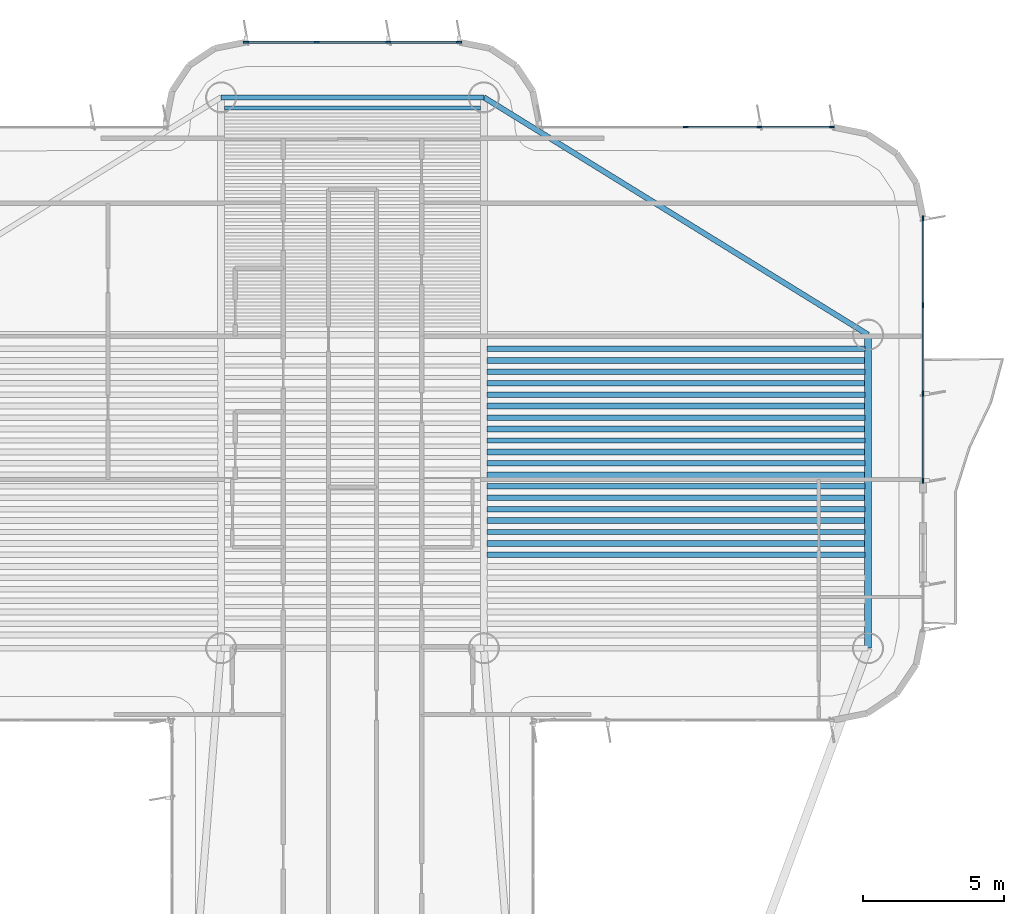
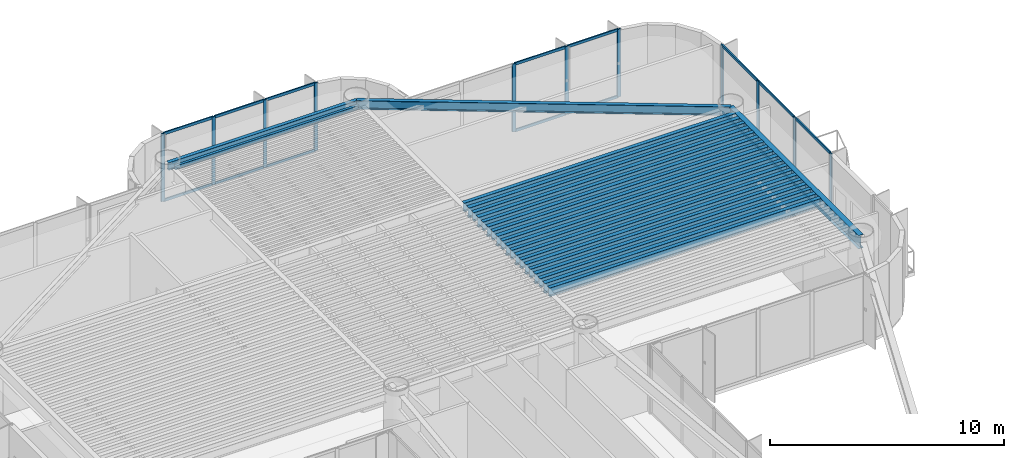
# One storey, part 7 of 14: 27 members, 23 beams, 3 elements without a shape of their own.
"""IFC4 building model written with IfcOpenShell, lengths in metres."""

from ifc_helpers import new_model, si_unit, direction, frame, origin, origin_2d, place, context, subcontext, project, spatial, rectangle, i_section, extrude, source, transform, mapped, material, layer, layer_set, material_profile, profile_set, type_object, element, aggregate, save


model = new_model("IFC4")

# Units and contexts
model_context = context("Model", 3, precision=1e-05, world=origin(), true_north=direction((0.0, 1.0)))
body_context = subcontext(model_context, "Body", "Model", "MODEL_VIEW")
ifc_project = project(units=[si_unit("LENGTHUNIT", "METRE"), si_unit("AREAUNIT", "SQUARE_METRE"), si_unit("VOLUMEUNIT", "CUBIC_METRE"), si_unit("PLANEANGLEUNIT", "RADIAN"), si_unit("MASSUNIT", "GRAM", prefix="KILO")], contexts=[model_context])

# Site, building, storey
site_placement = place(None, origin())
site = spatial("IfcSite", under=ifc_project, at=site_placement, CompositionType="ELEMENT")
building_placement = place(site_placement, origin())
building = spatial("IfcBuilding", under=site, at=building_placement, Name="Brelvock Crest Care Tower", CompositionType="ELEMENT")
storey_placement = place(building_placement, frame((0.0, 0.0, 205.56005859375)))
storey = spatial("IfcBuildingStorey", under=building, at=storey_placement, Name="L52", CompositionType="ELEMENT", Elevation=205.56005859375)

# Beams
ifc_material_1 = material(Name="Steel Grade 350", Category="steel")
ifc_material_profile_1 = material_profile(ifc_material_1, i_section(OverallWidth=0.177978515625, OverallDepth=0.406005859375, WebThickness=0.0078125, FlangeThickness=0.0126953125, FilletRadius=0.011474609375, at=origin_2d()), Name="410UB59.7")
ifc_profile_set_1 = profile_set([ifc_material_profile_1], Name="Steel Grade 350")
beam_type_1 = type_object("IfcBeamType", Name="BM-SP1", PredefinedType="SPANDREL", material=ifc_profile_set_1)
shared_shape_1 = source(origin(), body_context, "Body", "SweptSolid", [
    extrude(i_section(OverallWidth=0.177978515625, OverallDepth=0.406005859375, WebThickness=0.0078125, FlangeThickness=0.0126953125, FilletRadius=0.011474609375, at=origin_2d()), origin(), (0.0, 0.0, 1.0), 9.2998046875),
])
beam_1_placement = place(storey_placement, frame((31.35009765625, 54.449951171875, 3.326904296875), z_axis=(1.0, 0.0, 0.0), x_axis=(0.0, 1.0, 0.0)))
element("IfcBeam", 1, at=beam_1_placement, inside=storey, type_object=beam_type_1, Name="BM-TWR-L52-08", PredefinedType="SPANDREL", context=body_context, shape_type="MappedRepresentation", body=[
    mapped(shared_shape_1, transform((0.0, 0.0, 0.0), x_axis=(1.0, 0.0, 0.0), y_axis=(0.0, 1.0, 0.0), z_axis=(0.0, 0.0, 1.0), scale=1.0)),
])
ifc_material_profile_2 = material_profile(ifc_material_1, i_section(OverallWidth=0.134033203125, OverallDepth=0.20703125, WebThickness=0.00634765625, FlangeThickness=0.009521484375, FilletRadius=0.0087890625, at=origin_2d()), Name="200UB29.8")
ifc_profile_set_2 = profile_set([ifc_material_profile_2], Name="Steel Grade 350")
beam_type_2 = type_object("IfcBeamType", Name="BM-J4", PredefinedType="JOIST", material=ifc_profile_set_2)
shared_shape_2 = source(origin(), body_context, "Body", "SweptSolid", [
    extrude(i_section(OverallWidth=0.134033203125, OverallDepth=0.20703125, WebThickness=0.00634765625, FlangeThickness=0.009521484375, FilletRadius=0.0087890625, at=origin_2d()), origin(), (0.0, 0.0, 1.0), 9.06982421875),
])
beam_2_placement = place(storey_placement, frame((31.465087890625, 54.06787109375, 3.426513671875), z_axis=(1.0, 0.0, 0.0), x_axis=(0.0, 1.0, 0.0)))
element("IfcBeam", 2, at=beam_2_placement, inside=storey, type_object=beam_type_2, Name="BM-JN-L52-32", PredefinedType="JOIST", context=body_context, shape_type="MappedRepresentation", body=[
    mapped(shared_shape_2, transform((0.0, 0.0, 0.0), x_axis=(1.0, 0.0, 0.0), y_axis=(0.0, 1.0, 0.0), z_axis=(0.0, 0.0, 1.0), scale=1.0)),
])
ifc_material_profile_3 = material_profile(ifc_material_1, i_section(OverallWidth=0.208984375, OverallDepth=0.532958984375, WebThickness=0.01025390625, FlangeThickness=0.015625, FilletRadius=0.013916015625, at=origin_2d()), Name="530UB92.4")
ifc_profile_set_3 = profile_set([ifc_material_profile_3], Name="Steel Grade 350")
beam_type_3 = type_object("IfcBeamType", Name="BM-G2", PredefinedType="BEAM", material=ifc_profile_set_3)
shared_shape_3 = source(origin(), body_context, "Body", "SweptSolid", [
    extrude(i_section(OverallWidth=0.208984375, OverallDepth=0.532958984375, WebThickness=0.01025390625, FlangeThickness=0.015625, FilletRadius=0.013916015625, at=origin_2d()), origin(), (0.0, 0.0, 1.0), 13.3701171875),
])
for number, where, z_axis, x_axis, name in (
    (3, (40.764892578125, 38.657470703125, 3.263427734375), (1.0, 0.0, 0.0), (0.0, 1.0, 0.0), "BM-JE-L52-9"),
    (4, (40.764892578125, 39.4677734375, 3.263427734375), (1.0, 0.0, 0.0), (0.0, 1.0, 0.0), "BM-JE-L52-11"),
    (5, (40.764892578125, 40.278076171875, 3.263427734375), (1.0, 0.0, 0.0), (0.0, 1.0, 0.0), "BM-JE-L52-13"),
    (6, (40.764892578125, 41.08837890625, 3.263427734375), (1.0, 0.0, 0.0), (0.0, 1.0, 0.0), "BM-JE-L52-15"),
    (7, (40.764892578125, 41.898681640625, 3.263427734375), (1.0, 0.0, 0.0), (0.0, 1.0, 0.0), "BM-JE-L52-17"),
    (8, (40.764892578125, 42.708984375, 3.263427734375), (1.0, 0.0, 0.0), (0.0, 1.0, 0.0), "BM-JE-L52-19"),
    (9, (40.764892578125, 43.519287109375, 3.263427734375), (1.0, 0.0, 0.0), (0.0, 1.0, 0.0), "BM-JE-L52-21"),
    (10, (40.764892578125, 44.32958984375, 3.263427734375), (1.0, 0.0, 0.0), (0.0, 1.0, 0.0), "BM-JE-L52-23"),
    (11, (40.764892578125, 45.139892578125, 3.263427734375), (1.0, 0.0, 0.0), (0.0, 1.0, 0.0), "BM-JE-L52-25"),
):
    element("IfcBeam", number, at=place(storey_placement, frame(where, z_axis=z_axis, x_axis=x_axis)), inside=storey, type_object=beam_type_3, Name=name, PredefinedType="BEAM", context=body_context, shape_type="MappedRepresentation", body=[
        mapped(shared_shape_3, transform((0.0, 0.0, 0.0), x_axis=(1.0, 0.0, 0.0), y_axis=(0.0, 1.0, 0.0), z_axis=(0.0, 0.0, 1.0), scale=1.0)),
    ])
ifc_material_profile_4 = material_profile(ifc_material_1, i_section(OverallWidth=0.19091796875, OverallDepth=0.4599609375, WebThickness=0.010009765625, FlangeThickness=0.01611328125, FilletRadius=0.011474609375, at=origin_2d()), Name="460UB82.1")
ifc_profile_set_4 = profile_set([ifc_material_profile_4], Name="Steel Grade 350")
beam_type_4 = type_object("IfcBeamType", Name="BM-G3", PredefinedType="BEAM", material=ifc_profile_set_4)
shared_shape_4 = source(origin(), body_context, "Body", "SweptSolid", [
    extrude(i_section(OverallWidth=0.19091796875, OverallDepth=0.4599609375, WebThickness=0.010009765625, FlangeThickness=0.01611328125, FilletRadius=0.011474609375, at=origin_2d()), origin(), (0.0, 0.0, 1.0), 13.3701171875),
])
for number, where, z_axis, x_axis, name in (
    (12, (40.764892578125, 38.252197265625, 3.300048828125), (1.0, 0.0, 0.0), (0.0, 1.0, 0.0), "BM-JE-L52-8"),
    (13, (40.764892578125, 39.0625, 3.300048828125), (1.0, 0.0, 0.0), (0.0, 1.0, 0.0), "BM-JE-L52-10"),
    (14, (40.764892578125, 39.872802734375, 3.300048828125), (1.0, 0.0, 0.0), (0.0, 1.0, 0.0), "BM-JE-L52-12"),
    (15, (40.764892578125, 40.68310546875, 3.300048828125), (1.0, 0.0, 0.0), (0.0, 1.0, 0.0), "BM-JE-L52-14"),
    (16, (40.764892578125, 41.493408203125, 3.300048828125), (1.0, 0.0, 0.0), (0.0, 1.0, 0.0), "BM-JE-L52-16"),
    (17, (40.764892578125, 42.3037109375, 3.300048828125), (1.0, 0.0, 0.0), (0.0, 1.0, 0.0), "BM-JE-L52-18"),
    (18, (40.764892578125, 43.114013671875, 3.300048828125), (1.0, 0.0, 0.0), (0.0, 1.0, 0.0), "BM-JE-L52-20"),
    (19, (40.764892578125, 43.92431640625, 3.300048828125), (1.0, 0.0, 0.0), (0.0, 1.0, 0.0), "BM-JE-L52-22"),
    (20, (40.764892578125, 44.734619140625, 3.300048828125), (1.0, 0.0, 0.0), (0.0, 1.0, 0.0), "BM-JE-L52-24"),
    (21, (40.764892578125, 45.544921875, 3.300048828125), (1.0, 0.0, 0.0), (0.0, 1.0, 0.0), "BM-JE-L52-26"),
):
    element("IfcBeam", number, at=place(storey_placement, frame(where, z_axis=z_axis, x_axis=x_axis)), inside=storey, type_object=beam_type_4, Name=name, PredefinedType="BEAM", context=body_context, shape_type="MappedRepresentation", body=[
        mapped(shared_shape_4, transform((0.0, 0.0, 0.0), x_axis=(1.0, 0.0, 0.0), y_axis=(0.0, 1.0, 0.0), z_axis=(0.0, 0.0, 1.0), scale=1.0)),
    ])
ifc_material_profile_5 = material_profile(ifc_material_1, i_section(OverallWidth=0.25, OverallDepth=0.699951171875, WebThickness=0.011962890625, FlangeThickness=0.02001953125, at=origin_2d()), Name="700WB150")
ifc_profile_set_5 = profile_set([ifc_material_profile_5], Name="Steel Grade 350")
beam_type_5 = type_object("IfcBeamType", Name="BM-G4", PredefinedType="BEAM", material=ifc_profile_set_5)
shared_shape_5 = source(origin(), body_context, "Body", "SweptSolid", [
    extrude(i_section(OverallWidth=0.25, OverallDepth=0.699951171875, WebThickness=0.011962890625, FlangeThickness=0.02001953125, at=origin_2d()), origin(), (0.0, 0.0, 1.0), 11.10009765625),
])
beam_3_placement = place(storey_placement, frame((54.25, 34.949951171875, 3.179931640625), z_axis=(0.0, 1.0, 0.0), x_axis=(-1.0, 0.0, 0.0)))
element("IfcBeam", 22, at=beam_3_placement, inside=storey, type_object=beam_type_5, Name="BM-TWR-L52-02", PredefinedType="BEAM", context=body_context, shape_type="MappedRepresentation", body=[
    mapped(shared_shape_5, transform((0.0, 0.0, 0.0), x_axis=(1.0, 0.0, 0.0), y_axis=(0.0, 1.0, 0.0), z_axis=(0.0, 0.0, 1.0), scale=1.0)),
])
ifc_material_profile_6 = material_profile(ifc_material_1, i_section(OverallWidth=0.19091796875, OverallDepth=0.4599609375, WebThickness=0.010009765625, FlangeThickness=0.01611328125, FilletRadius=0.011474609375, at=origin_2d()), Name="460UB82.1")
ifc_profile_set_6 = profile_set([ifc_material_profile_6], Name="Steel Grade 350")
beam_type_6 = type_object("IfcBeamType", Name="BM-SP2", PredefinedType="SPANDREL", material=ifc_profile_set_6)
shared_shape_6 = source(origin(), body_context, "Body", "SweptSolid", [
    extrude(i_section(OverallWidth=0.19091796875, OverallDepth=0.4599609375, WebThickness=0.010009765625, FlangeThickness=0.01611328125, FilletRadius=0.011474609375, at=origin_2d()), origin(), (0.0, 0.0, 1.0), 15.985107421875),
])
beam_4_placement = place(storey_placement, frame((40.64990234375, 54.449951171875, 3.300048828125), z_axis=(0.850802415717, -0.525485727124, 0.0), x_axis=(0.525485727124, 0.850802415717, 0.0)))
element("IfcBeam", 23, at=beam_4_placement, inside=storey, type_object=beam_type_6, Name="BM-TWR-L52-07", PredefinedType="SPANDREL", context=body_context, shape_type="MappedRepresentation", body=[
    mapped(shared_shape_6, transform((0.0, 0.0, 0.0), x_axis=(1.0, 0.0, 0.0), y_axis=(0.0, 1.0, 0.0), z_axis=(0.0, 0.0, 1.0), scale=1.0)),
])

# Curtain wall, members
ifc_material_2 = material(Name="Dark Glass Double Glazed Low-E", Category="glass")
ifc_layer = layer(ifc_material_2, 0.22509765625, Name="CWS-4")
ifc_layer_set = layer_set([ifc_layer], Name="Dark Glass Double Glazed Low-E")
curtain_wall_type = type_object("IfcCurtainWallType", Name="CWS-4", PredefinedType="NOTDEFINED", material=ifc_layer_set)
curtain_wall_1_placement = place(storey_placement, origin())
curtain_wall_1 = element("IfcCurtainWall", 24, at=curtain_wall_1_placement, inside=storey, type_object=curtain_wall_type, Name="L52 Curtain Wall E28", PredefinedType="NOTDEFINED")
ifc_material_3 = material(Name="Aluminium 6063-T6", Category="aluminium")
ifc_material_profile_7 = material_profile(ifc_material_3, rectangle(XDim=0.06005859375, YDim=0.179931640625, at=origin_2d()), Name="ALU60x180")
ifc_profile_set_7 = profile_set([ifc_material_profile_7], Name="Aluminium 6063-T6")
member_type_1 = type_object("IfcMemberType", Name="CWM-2", PredefinedType="MULLION", material=ifc_profile_set_7)
shared_shape_7 = source(origin(), body_context, "Body", "SweptSolid", [
    extrude(rectangle(XDim=0.06005859375, YDim=0.179931640625, at=origin_2d()), origin(), (0.0, 0.0, 1.0), 3.530029296875),
])
member_1_placement = place(storey_placement, frame((32.22998046875, 56.39990234375, 0.0), z_axis=(0.0, 0.0, 1.0), x_axis=(0.0, 1.0, 0.0)))
member_1 = element("IfcMember", 25, at=member_1_placement, type_object=member_type_1, Name="CW-4 mullion 1", PredefinedType="MULLION", context=body_context, shape_type="MappedRepresentation", body=[
    mapped(shared_shape_7, transform((0.0, 0.0, 0.0), x_axis=(1.0, 0.0, 0.0), y_axis=(0.0, 1.0, 0.0), z_axis=(0.0, 0.0, 1.0), scale=1.0)),
])
member_2_placement = place(storey_placement, frame((34.7333984375, 56.39990234375, 0.0), z_axis=(0.0, 0.0, 1.0), x_axis=(0.0, 1.0, 0.0)))
member_2 = element("IfcMember", 26, at=member_2_placement, type_object=member_type_1, Name="CW-4 mullion 2", PredefinedType="MULLION", context=body_context, shape_type="MappedRepresentation", body=[
    mapped(shared_shape_7, transform((0.0, 0.0, 0.0), x_axis=(1.0, 0.0, 0.0), y_axis=(0.0, 1.0, 0.0), z_axis=(0.0, 0.0, 1.0), scale=1.0)),
])
member_3_placement = place(storey_placement, frame((37.2666015625, 56.39990234375, 0.0), z_axis=(0.0, 0.0, 1.0), x_axis=(0.0, 1.0, 0.0)))
member_3 = element("IfcMember", 27, at=member_3_placement, type_object=member_type_1, Name="CW-4 mullion 3", PredefinedType="MULLION", context=body_context, shape_type="MappedRepresentation", body=[
    mapped(shared_shape_7, transform((0.0, 0.0, 0.0), x_axis=(1.0, 0.0, 0.0), y_axis=(0.0, 1.0, 0.0), z_axis=(0.0, 0.0, 1.0), scale=1.0)),
])
member_4_placement = place(storey_placement, frame((39.77001953125, 56.39990234375, 0.0), z_axis=(0.0, 0.0, 1.0), x_axis=(0.0, 1.0, 0.0)))
member_4 = element("IfcMember", 28, at=member_4_placement, type_object=member_type_1, Name="CW-4 mullion 4", PredefinedType="MULLION", context=body_context, shape_type="MappedRepresentation", body=[
    mapped(shared_shape_7, transform((0.0, 0.0, 0.0), x_axis=(1.0, 0.0, 0.0), y_axis=(0.0, 1.0, 0.0), z_axis=(0.0, 0.0, 1.0), scale=1.0)),
])

curtain_wall_2_placement = place(storey_placement, origin())
curtain_wall_2 = element("IfcCurtainWall", 29, at=curtain_wall_2_placement, inside=storey, type_object=curtain_wall_type, Name="L52 Curtain Wall E34", PredefinedType="NOTDEFINED")
member_5_placement = place(storey_placement, frame((47.800048828125, 53.39990234375, 0.0), z_axis=(0.0, 0.0, 1.0), x_axis=(0.0, 1.0, 0.0)))
member_5 = element("IfcMember", 30, at=member_5_placement, type_object=member_type_1, Name="CW-4 mullion 3", PredefinedType="MULLION", context=body_context, shape_type="MappedRepresentation", body=[
    mapped(shared_shape_7, transform((0.0, 0.0, 0.0), x_axis=(1.0, 0.0, 0.0), y_axis=(0.0, 1.0, 0.0), z_axis=(0.0, 0.0, 1.0), scale=1.0)),
])
member_6_placement = place(storey_placement, frame((50.39990234375, 53.39990234375, 0.0), z_axis=(0.0, 0.0, 1.0), x_axis=(0.0, 1.0, 0.0)))
member_6 = element("IfcMember", 31, at=member_6_placement, type_object=member_type_1, Name="CW-4 mullion 4", PredefinedType="MULLION", context=body_context, shape_type="MappedRepresentation", body=[
    mapped(shared_shape_7, transform((0.0, 0.0, 0.0), x_axis=(1.0, 0.0, 0.0), y_axis=(0.0, 1.0, 0.0), z_axis=(0.0, 0.0, 1.0), scale=1.0)),
])
member_7_placement = place(storey_placement, frame((52.969970703125, 53.39990234375, 0.0), z_axis=(0.0, 0.0, 1.0), x_axis=(0.0, 1.0, 0.0)))
member_7 = element("IfcMember", 32, at=member_7_placement, type_object=member_type_1, Name="CW-4 mullion 5", PredefinedType="MULLION", context=body_context, shape_type="MappedRepresentation", body=[
    mapped(shared_shape_7, transform((0.0, 0.0, 0.0), x_axis=(1.0, 0.0, 0.0), y_axis=(0.0, 1.0, 0.0), z_axis=(0.0, 0.0, 1.0), scale=1.0)),
])

curtain_wall_3_placement = place(storey_placement, origin())
curtain_wall_3 = element("IfcCurtainWall", 33, at=curtain_wall_3_placement, inside=storey, type_object=curtain_wall_type, Name="L52 Curtain Wall E39A", PredefinedType="NOTDEFINED")
member_8_placement = place(storey_placement, frame((56.199951171875, 50.169921875, 0.0), z_axis=(0.0, 0.0, 1.0), x_axis=(1.0, 0.0, 0.0)))
member_8 = element("IfcMember", 34, at=member_8_placement, type_object=member_type_1, Name="CW-4 mullion 1", PredefinedType="MULLION", context=body_context, shape_type="MappedRepresentation", body=[
    mapped(shared_shape_7, transform((0.0, 0.0, 0.0), x_axis=(1.0, 0.0, 0.0), y_axis=(0.0, 1.0, 0.0), z_axis=(0.0, 0.0, 1.0), scale=1.0)),
])
member_9_placement = place(storey_placement, frame((56.199951171875, 47.083251953125, 0.0), z_axis=(0.0, 0.0, 1.0), x_axis=(1.0, 0.0, 0.0)))
member_9 = element("IfcMember", 35, at=member_9_placement, type_object=member_type_1, Name="CW-4 mullion 2", PredefinedType="MULLION", context=body_context, shape_type="MappedRepresentation", body=[
    mapped(shared_shape_7, transform((0.0, 0.0, 0.0), x_axis=(1.0, 0.0, 0.0), y_axis=(0.0, 1.0, 0.0), z_axis=(0.0, 0.0, 1.0), scale=1.0)),
])
member_10_placement = place(storey_placement, frame((56.199951171875, 43.966552734375, 0.0), z_axis=(0.0, 0.0, 1.0), x_axis=(1.0, 0.0, 0.0)))
member_10 = element("IfcMember", 36, at=member_10_placement, type_object=member_type_1, Name="CW-4 mullion 3", PredefinedType="MULLION", context=body_context, shape_type="MappedRepresentation", body=[
    mapped(shared_shape_7, transform((0.0, 0.0, 0.0), x_axis=(1.0, 0.0, 0.0), y_axis=(0.0, 1.0, 0.0), z_axis=(0.0, 0.0, 1.0), scale=1.0)),
])
member_11_placement = place(storey_placement, frame((56.199951171875, 40.8798828125, 0.0), z_axis=(0.0, 0.0, 1.0), x_axis=(1.0, 0.0, 0.0)))
member_11 = element("IfcMember", 37, at=member_11_placement, type_object=member_type_1, Name="CW-4 mullion 4", PredefinedType="MULLION", context=body_context, shape_type="MappedRepresentation", body=[
    mapped(shared_shape_7, transform((0.0, 0.0, 0.0), x_axis=(1.0, 0.0, 0.0), y_axis=(0.0, 1.0, 0.0), z_axis=(0.0, 0.0, 1.0), scale=1.0)),
])

# Member
ifc_material_profile_8 = material_profile(ifc_material_3, rectangle(XDim=0.06005859375, YDim=0.139892578125, at=origin_2d()), Name="ALU60x140")
ifc_profile_set_8 = profile_set([ifc_material_profile_8], Name="Aluminium 6063-T6")
member_type_2 = type_object("IfcMemberType", Name="CWT-2", PredefinedType="USERDEFINED", material=ifc_profile_set_8)
shared_shape_8 = source(origin(), body_context, "Body", "SweptSolid", [
    extrude(rectangle(XDim=0.06005859375, YDim=0.139892578125, at=origin_2d()), origin(), (0.0, 0.0, 1.0), 2.443359375),
])
member_12_placement = place(storey_placement, frame((32.260009765625, 56.39990234375, 0.030029296875), z_axis=(1.0, 0.0, 0.0), x_axis=(0.0, 1.0, 0.0)))
member_12 = element("IfcMember", 38, at=member_12_placement, type_object=member_type_2, Name="CW-4 transom 1.1", ObjectType="TRANSOM", PredefinedType="USERDEFINED", context=body_context, shape_type="MappedRepresentation", body=[
    mapped(shared_shape_8, transform((0.0, 0.0, 0.0), x_axis=(1.0, 0.0, 0.0), y_axis=(0.0, 1.0, 0.0), z_axis=(0.0, 0.0, 1.0), scale=1.0)),
])

member_13_placement = place(storey_placement, frame((32.260009765625, 56.39990234375, 3.5), z_axis=(1.0, 0.0, 0.0), x_axis=(0.0, 1.0, 0.0)))
member_13 = element("IfcMember", 39, at=member_13_placement, type_object=member_type_2, Name="CW-4 transom 1.2", ObjectType="TRANSOM", PredefinedType="USERDEFINED", context=body_context, shape_type="MappedRepresentation", body=[
    mapped(shared_shape_8, transform((0.0, 0.0, 0.0), x_axis=(1.0, 0.0, 0.0), y_axis=(0.0, 1.0, 0.0), z_axis=(0.0, 0.0, 1.0), scale=1.0)),
])

member_14_placement = place(storey_placement, frame((37.296630859375, 56.39990234375, 0.030029296875), z_axis=(1.0, 0.0, 0.0), x_axis=(0.0, 1.0, 0.0)))
member_14 = element("IfcMember", 40, at=member_14_placement, type_object=member_type_2, Name="CW-4 transom 3.1", ObjectType="TRANSOM", PredefinedType="USERDEFINED", context=body_context, shape_type="MappedRepresentation", body=[
    mapped(shared_shape_8, transform((0.0, 0.0, 0.0), x_axis=(1.0, 0.0, 0.0), y_axis=(0.0, 1.0, 0.0), z_axis=(0.0, 0.0, 1.0), scale=1.0)),
])

member_15_placement = place(storey_placement, frame((37.296630859375, 56.39990234375, 3.5), z_axis=(1.0, 0.0, 0.0), x_axis=(0.0, 1.0, 0.0)))
member_15 = element("IfcMember", 41, at=member_15_placement, type_object=member_type_2, Name="CW-4 transom 3.2", ObjectType="TRANSOM", PredefinedType="USERDEFINED", context=body_context, shape_type="MappedRepresentation", body=[
    mapped(shared_shape_8, transform((0.0, 0.0, 0.0), x_axis=(1.0, 0.0, 0.0), y_axis=(0.0, 1.0, 0.0), z_axis=(0.0, 0.0, 1.0), scale=1.0)),
])

shared_shape_9 = source(origin(), body_context, "Body", "SweptSolid", [
    extrude(rectangle(XDim=0.06005859375, YDim=0.139892578125, at=origin_2d()), origin(), (0.0, 0.0, 1.0), 2.47314453125),
])
member_16_placement = place(storey_placement, frame((34.763427734375, 56.39990234375, 0.030029296875), z_axis=(1.0, 0.0, 0.0), x_axis=(0.0, 1.0, 0.0)))
member_16 = element("IfcMember", 42, at=member_16_placement, type_object=member_type_2, Name="CW-4 transom 2.1", ObjectType="TRANSOM", PredefinedType="USERDEFINED", context=body_context, shape_type="MappedRepresentation", body=[
    mapped(shared_shape_9, transform((0.0, 0.0, 0.0), x_axis=(1.0, 0.0, 0.0), y_axis=(0.0, 1.0, 0.0), z_axis=(0.0, 0.0, 1.0), scale=1.0)),
])

member_17_placement = place(storey_placement, frame((34.763427734375, 56.39990234375, 3.5), z_axis=(1.0, 0.0, 0.0), x_axis=(0.0, 1.0, 0.0)))
member_17 = element("IfcMember", 43, at=member_17_placement, type_object=member_type_2, Name="CW-4 transom 2.2", ObjectType="TRANSOM", PredefinedType="USERDEFINED", context=body_context, shape_type="MappedRepresentation", body=[
    mapped(shared_shape_9, transform((0.0, 0.0, 0.0), x_axis=(1.0, 0.0, 0.0), y_axis=(0.0, 1.0, 0.0), z_axis=(0.0, 0.0, 1.0), scale=1.0)),
])

aggregate(curtain_wall_1, [member_1, member_2, member_3, member_4, member_12, member_13, member_16, member_17, member_14, member_15])

shared_shape_10 = source(origin(), body_context, "Body", "SweptSolid", [
    extrude(rectangle(XDim=0.06005859375, YDim=0.139892578125, at=origin_2d()), origin(), (0.0, 0.0, 1.0), 2.510009765625),
])
member_18_placement = place(storey_placement, frame((50.429931640625, 53.39990234375, 0.030029296875), z_axis=(1.0, 0.0, 0.0), x_axis=(0.0, 1.0, 0.0)))
member_18 = element("IfcMember", 44, at=member_18_placement, type_object=member_type_2, Name="CW-4 transom 4.1", ObjectType="TRANSOM", PredefinedType="USERDEFINED", context=body_context, shape_type="MappedRepresentation", body=[
    mapped(shared_shape_10, transform((0.0, 0.0, 0.0), x_axis=(1.0, 0.0, 0.0), y_axis=(0.0, 1.0, 0.0), z_axis=(0.0, 0.0, 1.0), scale=1.0)),
])

member_19_placement = place(storey_placement, frame((50.429931640625, 53.39990234375, 3.5), z_axis=(1.0, 0.0, 0.0), x_axis=(0.0, 1.0, 0.0)))
member_19 = element("IfcMember", 45, at=member_19_placement, type_object=member_type_2, Name="CW-4 transom 4.2", ObjectType="TRANSOM", PredefinedType="USERDEFINED", context=body_context, shape_type="MappedRepresentation", body=[
    mapped(shared_shape_10, transform((0.0, 0.0, 0.0), x_axis=(1.0, 0.0, 0.0), y_axis=(0.0, 1.0, 0.0), z_axis=(0.0, 0.0, 1.0), scale=1.0)),
])

shared_shape_11 = source(origin(), body_context, "Body", "SweptSolid", [
    extrude(rectangle(XDim=0.06005859375, YDim=0.139892578125, at=origin_2d()), origin(), (0.0, 0.0, 1.0), 2.5400390625),
])
member_20_placement = place(storey_placement, frame((47.830078125, 53.39990234375, 0.030029296875), z_axis=(1.0, 0.0, 0.0), x_axis=(0.0, 1.0, 0.0)))
member_20 = element("IfcMember", 46, at=member_20_placement, type_object=member_type_2, Name="CW-4 transom 3.1", ObjectType="TRANSOM", PredefinedType="USERDEFINED", context=body_context, shape_type="MappedRepresentation", body=[
    mapped(shared_shape_11, transform((0.0, 0.0, 0.0), x_axis=(1.0, 0.0, 0.0), y_axis=(0.0, 1.0, 0.0), z_axis=(0.0, 0.0, 1.0), scale=1.0)),
])

member_21_placement = place(storey_placement, frame((47.830078125, 53.39990234375, 3.5), z_axis=(1.0, 0.0, 0.0), x_axis=(0.0, 1.0, 0.0)))
member_21 = element("IfcMember", 47, at=member_21_placement, type_object=member_type_2, Name="CW-4 transom 3.2", ObjectType="TRANSOM", PredefinedType="USERDEFINED", context=body_context, shape_type="MappedRepresentation", body=[
    mapped(shared_shape_11, transform((0.0, 0.0, 0.0), x_axis=(1.0, 0.0, 0.0), y_axis=(0.0, 1.0, 0.0), z_axis=(0.0, 0.0, 1.0), scale=1.0)),
])

aggregate(curtain_wall_2, [member_5, member_6, member_7, member_20, member_21, member_18, member_19])

shared_shape_12 = source(origin(), body_context, "Body", "SweptSolid", [
    extrude(rectangle(XDim=0.06005859375, YDim=0.139892578125, at=origin_2d()), origin(), (0.0, 0.0, 1.0), 3.02685546875),
])
member_22_placement = place(storey_placement, frame((56.199951171875, 43.936767578125, 0.030029296875), z_axis=(0.0, -1.0, 0.0), x_axis=(1.0, 0.0, 0.0)))
member_22 = element("IfcMember", 48, at=member_22_placement, type_object=member_type_2, Name="CW-4 transom 3.1", ObjectType="TRANSOM", PredefinedType="USERDEFINED", context=body_context, shape_type="MappedRepresentation", body=[
    mapped(shared_shape_12, transform((0.0, 0.0, 0.0), x_axis=(1.0, 0.0, 0.0), y_axis=(0.0, 1.0, 0.0), z_axis=(0.0, 0.0, 1.0), scale=1.0)),
])

member_23_placement = place(storey_placement, frame((56.199951171875, 43.936767578125, 3.5), z_axis=(0.0, -1.0, 0.0), x_axis=(1.0, 0.0, 0.0)))
member_23 = element("IfcMember", 49, at=member_23_placement, type_object=member_type_2, Name="CW-4 transom 3.2", ObjectType="TRANSOM", PredefinedType="USERDEFINED", context=body_context, shape_type="MappedRepresentation", body=[
    mapped(shared_shape_12, transform((0.0, 0.0, 0.0), x_axis=(1.0, 0.0, 0.0), y_axis=(0.0, 1.0, 0.0), z_axis=(0.0, 0.0, 1.0), scale=1.0)),
])

shared_shape_13 = source(origin(), body_context, "Body", "SweptSolid", [
    extrude(rectangle(XDim=0.06005859375, YDim=0.139892578125, at=origin_2d()), origin(), (0.0, 0.0, 1.0), 3.056640625),
])
member_24_placement = place(storey_placement, frame((56.199951171875, 47.05322265625, 0.030029296875), z_axis=(0.0, -1.0, 0.0), x_axis=(1.0, 0.0, 0.0)))
member_24 = element("IfcMember", 50, at=member_24_placement, type_object=member_type_2, Name="CW-4 transom 2.1", ObjectType="TRANSOM", PredefinedType="USERDEFINED", context=body_context, shape_type="MappedRepresentation", body=[
    mapped(shared_shape_13, transform((0.0, 0.0, 0.0), x_axis=(1.0, 0.0, 0.0), y_axis=(0.0, 1.0, 0.0), z_axis=(0.0, 0.0, 1.0), scale=1.0)),
])

member_25_placement = place(storey_placement, frame((56.199951171875, 47.05322265625, 3.5), z_axis=(0.0, -1.0, 0.0), x_axis=(1.0, 0.0, 0.0)))
member_25 = element("IfcMember", 51, at=member_25_placement, type_object=member_type_2, Name="CW-4 transom 2.2", ObjectType="TRANSOM", PredefinedType="USERDEFINED", context=body_context, shape_type="MappedRepresentation", body=[
    mapped(shared_shape_13, transform((0.0, 0.0, 0.0), x_axis=(1.0, 0.0, 0.0), y_axis=(0.0, 1.0, 0.0), z_axis=(0.0, 0.0, 1.0), scale=1.0)),
])

shared_shape_14 = source(origin(), body_context, "Body", "SweptSolid", [
    extrude(rectangle(XDim=0.06005859375, YDim=0.139892578125, at=origin_2d()), origin(), (0.0, 0.0, 1.0), 3.026611328125),
])
member_26_placement = place(storey_placement, frame((56.199951171875, 50.139892578125, 0.030029296875), z_axis=(0.0, -1.0, 0.0), x_axis=(1.0, 0.0, 0.0)))
member_26 = element("IfcMember", 52, at=member_26_placement, type_object=member_type_2, Name="CW-4 transom 1.1", ObjectType="TRANSOM", PredefinedType="USERDEFINED", context=body_context, shape_type="MappedRepresentation", body=[
    mapped(shared_shape_14, transform((0.0, 0.0, 0.0), x_axis=(1.0, 0.0, 0.0), y_axis=(0.0, 1.0, 0.0), z_axis=(0.0, 0.0, 1.0), scale=1.0)),
])

member_27_placement = place(storey_placement, frame((56.199951171875, 50.139892578125, 3.5), z_axis=(0.0, -1.0, 0.0), x_axis=(1.0, 0.0, 0.0)))
member_27 = element("IfcMember", 53, at=member_27_placement, type_object=member_type_2, Name="CW-4 transom 1.2", ObjectType="TRANSOM", PredefinedType="USERDEFINED", context=body_context, shape_type="MappedRepresentation", body=[
    mapped(shared_shape_14, transform((0.0, 0.0, 0.0), x_axis=(1.0, 0.0, 0.0), y_axis=(0.0, 1.0, 0.0), z_axis=(0.0, 0.0, 1.0), scale=1.0)),
])

aggregate(curtain_wall_3, [member_8, member_9, member_10, member_11, member_26, member_27, member_24, member_25, member_22, member_23])

save(model, "model.ifc")
